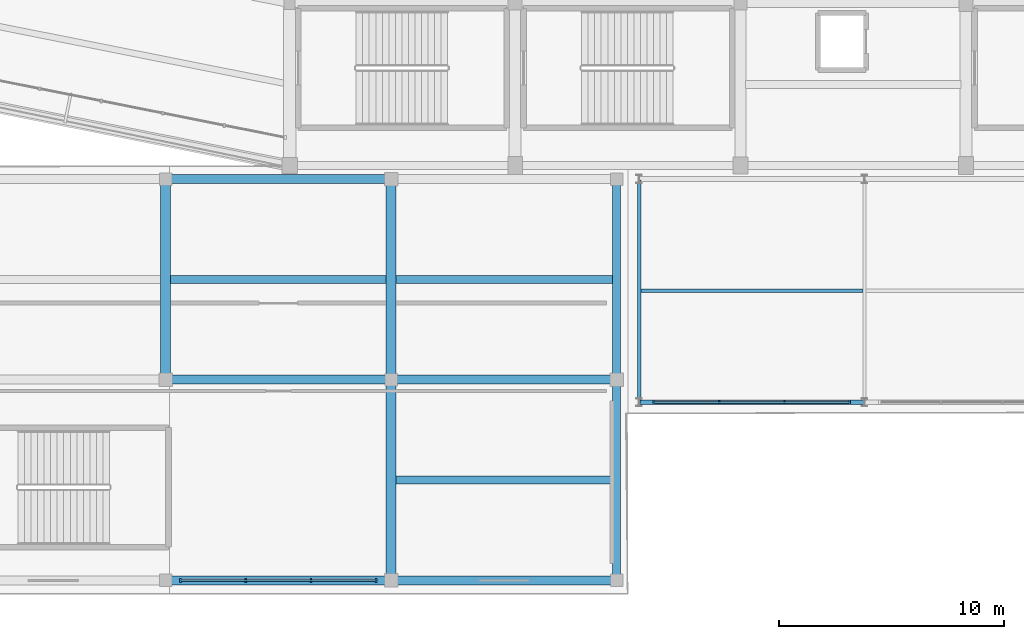
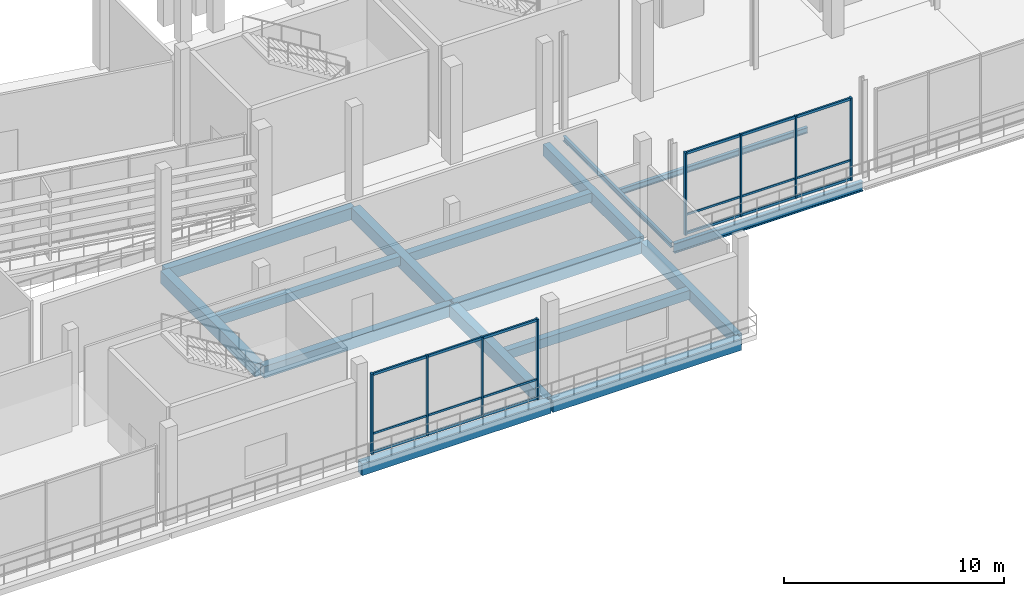
# One storey, part 18 of 111: 16 beams, 14 members, 2 elements without a shape of their own.
"""IFC4 building model written with IfcOpenShell, lengths in metres."""

from ifc_helpers import new_model, si_unit, direction, frame, origin, origin_2d, place, context, subcontext, project, spatial, rectangle, i_section, extrude, material, material_profile, profile_set, type_object, element, aggregate, save


model = new_model("IFC4")

# Units and contexts
model_context = context("Model", 3, precision=1e-05, world=origin(), true_north=direction((0.0, 1.0)))
body_context = subcontext(model_context, "Body", "Model", "MODEL_VIEW")
ifc_project = project(units=[si_unit("LENGTHUNIT", "METRE"), si_unit("AREAUNIT", "SQUARE_METRE"), si_unit("VOLUMEUNIT", "CUBIC_METRE"), si_unit("PLANEANGLEUNIT", "RADIAN"), si_unit("MASSUNIT", "GRAM", prefix="KILO")], contexts=[model_context])

# Site, building, storey
site_placement = place(None, origin())
site = spatial("IfcSite", under=ifc_project, at=site_placement, CompositionType="ELEMENT")
building_placement = place(site_placement, origin())
building = spatial("IfcBuilding", under=site, at=building_placement, Name="Candeia Ridge Stadium", CompositionType="ELEMENT")
storey_placement = place(building_placement, frame((0.0, 0.0, 16.199951171875)))
storey = spatial("IfcBuildingStorey", under=building, at=storey_placement, Name="L03", CompositionType="ELEMENT", Elevation=16.199951171875)

# Beam
ifc_material_1 = material(Name="Steel ASTM A572 Grade 50", Category="steel")
ifc_material_profile_1 = material_profile(ifc_material_1, i_section(OverallWidth=0.14794921875, OverallDepth=0.26611328125, WebThickness=0.007568359375, FlangeThickness=0.012939453125, FilletRadius=0.010986328125, at=origin_2d()), Name="W250x44.8", Category="steel")
ifc_profile_set_1 = profile_set([ifc_material_profile_1], Name="Steel ASTM A572 Grade 50")
beam_type_1 = type_object("IfcBeamType", Name="Canopy Edge Spandrel W250x44.8", PredefinedType="SPANDREL", material=ifc_profile_set_1)
beam_1_placement = place(storey_placement, frame((86.5, 8.550048828125, -0.383056640625), z_axis=(0.0, 1.0, 0.0), x_axis=(-1.0, 0.0, 0.0)))
element("IfcBeam", 1, at=beam_1_placement, inside=storey, type_object=beam_type_1, Name="Structural girder BM-L03-2358", PredefinedType="SPANDREL", context=body_context, shape_type="SweptSolid", body=[
    extrude(i_section(OverallWidth=0.14794921875, OverallDepth=0.26611328125, WebThickness=0.007568359375, FlangeThickness=0.012939453125, FilletRadius=0.010986328125, at=origin_2d()), origin(), (0.0, 0.0, 1.0), 9.800048828125),
])

# Curtain wall, members
ifc_material_2 = material(Name="Aluminium Anodized Warm Bronze", Category="aluminium")
curtain_wall_type_1 = type_object("IfcCurtainWallType", Name="Museum & Boulevard Showcase Curtain Wall", PredefinedType="NOTDEFINED", material=ifc_material_2)
curtain_wall_1_placement = place(storey_placement, origin())
curtain_wall_1 = element("IfcCurtainWall", 2, at=curtain_wall_1_placement, inside=storey, type_object=curtain_wall_type_1, Name="Unitised curtain wall CW-WNG-L03-133", PredefinedType="NOTDEFINED")
ifc_material_profile_2 = material_profile(ifc_material_2, rectangle(XDim=0.090087890625, YDim=0.179931640625, at=origin_2d()), Name="CWM-90x180", Category="aluminium")
ifc_profile_set_2 = profile_set([ifc_material_profile_2], Name="Aluminium Anodized Warm Bronze")
member_type_1 = type_object("IfcMemberType", Name="Curtain Wall Primary Mullion 90x180", PredefinedType="MULLION", material=ifc_profile_set_2)
member_1_placement = place(storey_placement, frame((66.159912109375, 0.60009765625, 0.0), z_axis=(0.0, 0.0, 1.0), x_axis=(1.0, 0.0, 0.0)))
member_1 = element("IfcMember", 3, at=member_1_placement, type_object=member_type_1, Name="Curtain wall mullion CW-WNG-L03-133-M0", PredefinedType="MULLION", context=body_context, shape_type="SweptSolid", body=[
    extrude(rectangle(XDim=0.090087890625, YDim=0.179931640625, at=origin_2d()), origin(), (0.0, 0.0, 1.0), 4.455078125),
])
member_2_placement = place(storey_placement, frame((74.840087890625, 0.60009765625, 0.0), z_axis=(0.0, 0.0, 1.0), x_axis=(1.0, 0.0, 0.0)))
member_2 = element("IfcMember", 4, at=member_2_placement, type_object=member_type_1, Name="Curtain wall mullion CW-WNG-L03-133-M3", PredefinedType="MULLION", context=body_context, shape_type="SweptSolid", body=[
    extrude(rectangle(XDim=0.090087890625, YDim=0.179931640625, at=origin_2d()), origin(), (0.0, 0.0, 1.0), 4.455078125),
])

curtain_wall_type_2 = type_object("IfcCurtainWallType", Name="Cardinal Entrance Gate Tall Glazed Curtain Wall", PredefinedType="NOTDEFINED", material=ifc_material_2)
curtain_wall_2_placement = place(storey_placement, origin())
curtain_wall_2 = element("IfcCurtainWall", 5, at=curtain_wall_2_placement, inside=storey, type_object=curtain_wall_type_2, Name="Unitised curtain wall CW-WNG-L03-137", PredefinedType="NOTDEFINED")
member_3_placement = place(storey_placement, frame((87.159912109375, 8.5, 0.0), z_axis=(0.0, 0.0, 1.0), x_axis=(1.0, 0.0, 0.0)))
member_3 = element("IfcMember", 6, at=member_3_placement, type_object=member_type_1, Name="Curtain wall mullion CW-WNG-L03-137-M0", PredefinedType="MULLION", context=body_context, shape_type="SweptSolid", body=[
    extrude(rectangle(XDim=0.090087890625, YDim=0.179931640625, at=origin_2d()), origin(), (0.0, 0.0, 1.0), 4.572021484375),
])
member_4_placement = place(storey_placement, frame((95.840087890625, 8.5, 0.0), z_axis=(0.0, 0.0, 1.0), x_axis=(1.0, 0.0, 0.0)))
member_4 = element("IfcMember", 7, at=member_4_placement, type_object=member_type_1, Name="Curtain wall mullion CW-WNG-L03-137-M3", PredefinedType="MULLION", context=body_context, shape_type="SweptSolid", body=[
    extrude(rectangle(XDim=0.090087890625, YDim=0.179931640625, at=origin_2d()), origin(), (0.0, 0.0, 1.0), 4.572021484375),
])

# Member
ifc_material_profile_3 = material_profile(ifc_material_2, rectangle(XDim=0.074951171875, YDim=0.14990234375, at=origin_2d()), Name="CWM-75x150", Category="aluminium")
ifc_profile_set_3 = profile_set([ifc_material_profile_3], Name="Aluminium Anodized Warm Bronze")
member_type_2 = type_object("IfcMemberType", Name="Curtain Wall Secondary Mullion 75x150", PredefinedType="MULLION", material=ifc_profile_set_3)
member_5_placement = place(storey_placement, frame((69.05322265625, 0.60009765625, 0.0), z_axis=(0.0, 0.0, 1.0), x_axis=(1.0, 0.0, 0.0)))
member_5 = element("IfcMember", 8, at=member_5_placement, type_object=member_type_2, Name="Curtain wall mullion CW-WNG-L03-133-M1", PredefinedType="MULLION", context=body_context, shape_type="SweptSolid", body=[
    extrude(rectangle(XDim=0.074951171875, YDim=0.14990234375, at=origin_2d()), origin(), (0.0, 0.0, 1.0), 4.455078125),
])

member_6_placement = place(storey_placement, frame((71.94677734375, 0.60009765625, 0.0), z_axis=(0.0, 0.0, 1.0), x_axis=(1.0, 0.0, 0.0)))
member_6 = element("IfcMember", 9, at=member_6_placement, type_object=member_type_2, Name="Curtain wall mullion CW-WNG-L03-133-M2", PredefinedType="MULLION", context=body_context, shape_type="SweptSolid", body=[
    extrude(rectangle(XDim=0.074951171875, YDim=0.14990234375, at=origin_2d()), origin(), (0.0, 0.0, 1.0), 4.455078125),
])

member_7_placement = place(storey_placement, frame((90.05322265625, 8.5, 0.0), z_axis=(0.0, 0.0, 1.0), x_axis=(1.0, 0.0, 0.0)))
member_7 = element("IfcMember", 10, at=member_7_placement, type_object=member_type_2, Name="Curtain wall mullion CW-WNG-L03-137-M1", PredefinedType="MULLION", context=body_context, shape_type="SweptSolid", body=[
    extrude(rectangle(XDim=0.074951171875, YDim=0.14990234375, at=origin_2d()), origin(), (0.0, 0.0, 1.0), 4.572021484375),
])

member_8_placement = place(storey_placement, frame((92.94677734375, 8.5, 0.0), z_axis=(0.0, 0.0, 1.0), x_axis=(1.0, 0.0, 0.0)))
member_8 = element("IfcMember", 11, at=member_8_placement, type_object=member_type_2, Name="Curtain wall mullion CW-WNG-L03-137-M2", PredefinedType="MULLION", context=body_context, shape_type="SweptSolid", body=[
    extrude(rectangle(XDim=0.074951171875, YDim=0.14990234375, at=origin_2d()), origin(), (0.0, 0.0, 1.0), 4.572021484375),
])

ifc_material_profile_4 = material_profile(ifc_material_2, rectangle(XDim=0.074951171875, YDim=0.110107421875, at=origin_2d()), Name="CWT-75x110", Category="aluminium")
ifc_profile_set_4 = profile_set([ifc_material_profile_4], Name="Aluminium Anodized Warm Bronze")
member_type_3 = type_object("IfcMemberType", Name="Curtain Wall Secondary Transom 75x110", PredefinedType="USERDEFINED", material=ifc_profile_set_4)
member_9_placement = place(storey_placement, frame((66.159912109375, 0.60009765625, 1.10009765625), z_axis=(1.0, 0.0, 0.0), x_axis=(0.0, 1.0, 0.0)))
member_9 = element("IfcMember", 12, at=member_9_placement, type_object=member_type_3, Name="Curtain wall transom CW-WNG-L03-133-T1", ObjectType="TRANSOM", PredefinedType="USERDEFINED", context=body_context, shape_type="SweptSolid", body=[
    extrude(rectangle(XDim=0.074951171875, YDim=0.110107421875, at=origin_2d()), origin(), (0.0, 0.0, 1.0), 8.68017578125),
])

member_10_placement = place(storey_placement, frame((87.159912109375, 8.5, 1.10009765625), z_axis=(1.0, 0.0, 0.0), x_axis=(0.0, 1.0, 0.0)))
member_10 = element("IfcMember", 13, at=member_10_placement, type_object=member_type_3, Name="Curtain wall transom CW-WNG-L03-137-T1", ObjectType="TRANSOM", PredefinedType="USERDEFINED", context=body_context, shape_type="SweptSolid", body=[
    extrude(rectangle(XDim=0.074951171875, YDim=0.110107421875, at=origin_2d()), origin(), (0.0, 0.0, 1.0), 8.68017578125),
])

ifc_material_profile_5 = material_profile(ifc_material_2, rectangle(XDim=0.090087890625, YDim=0.139892578125, at=origin_2d()), Name="CWT-90x140", Category="aluminium")
ifc_profile_set_5 = profile_set([ifc_material_profile_5], Name="Aluminium Anodized Warm Bronze")
member_type_4 = type_object("IfcMemberType", Name="Curtain Wall Transom 90x140", PredefinedType="USERDEFINED", material=ifc_profile_set_5)
member_11_placement = place(storey_placement, frame((66.159912109375, 0.60009765625, 0.070068359375), z_axis=(1.0, 0.0, 0.0), x_axis=(0.0, 1.0, 0.0)))
member_11 = element("IfcMember", 14, at=member_11_placement, type_object=member_type_4, Name="Curtain wall transom CW-WNG-L03-133-T0", ObjectType="TRANSOM", PredefinedType="USERDEFINED", context=body_context, shape_type="SweptSolid", body=[
    extrude(rectangle(XDim=0.090087890625, YDim=0.139892578125, at=origin_2d()), origin(), (0.0, 0.0, 1.0), 8.68017578125),
])

member_12_placement = place(storey_placement, frame((66.159912109375, 0.60009765625, 4.385009765625), z_axis=(1.0, 0.0, 0.0), x_axis=(0.0, 1.0, 0.0)))
member_12 = element("IfcMember", 15, at=member_12_placement, type_object=member_type_4, Name="Curtain wall transom CW-WNG-L03-133-T2", ObjectType="TRANSOM", PredefinedType="USERDEFINED", context=body_context, shape_type="SweptSolid", body=[
    extrude(rectangle(XDim=0.090087890625, YDim=0.139892578125, at=origin_2d()), origin(), (0.0, 0.0, 1.0), 8.68017578125),
])

aggregate(curtain_wall_1, [member_1, member_5, member_6, member_2, member_11, member_9, member_12])

member_13_placement = place(storey_placement, frame((87.159912109375, 8.5, 0.070068359375), z_axis=(1.0, 0.0, 0.0), x_axis=(0.0, 1.0, 0.0)))
member_13 = element("IfcMember", 16, at=member_13_placement, type_object=member_type_4, Name="Curtain wall transom CW-WNG-L03-137-T0", ObjectType="TRANSOM", PredefinedType="USERDEFINED", context=body_context, shape_type="SweptSolid", body=[
    extrude(rectangle(XDim=0.090087890625, YDim=0.139892578125, at=origin_2d()), origin(), (0.0, 0.0, 1.0), 8.68017578125),
])

member_14_placement = place(storey_placement, frame((87.159912109375, 8.5, 4.501953125), z_axis=(1.0, 0.0, 0.0), x_axis=(0.0, 1.0, 0.0)))
member_14 = element("IfcMember", 17, at=member_14_placement, type_object=member_type_4, Name="Curtain wall transom CW-WNG-L03-137-T2", ObjectType="TRANSOM", PredefinedType="USERDEFINED", context=body_context, shape_type="SweptSolid", body=[
    extrude(rectangle(XDim=0.090087890625, YDim=0.139892578125, at=origin_2d()), origin(), (0.0, 0.0, 1.0), 8.68017578125),
])

aggregate(curtain_wall_2, [member_3, member_7, member_8, member_4, member_13, member_10, member_14])

# Beams
ifc_material_3 = material(Name="Concrete C40/50", Category="concrete")
ifc_material_profile_6 = material_profile(ifc_material_3, rectangle(XDim=0.35009765625, YDim=0.5, at=origin_2d()), Name="RC350x500", Category="concrete")
ifc_profile_set_6 = profile_set([ifc_material_profile_6], Name="Concrete C40/50")
beam_type_2 = type_object("IfcBeamType", Name="Floor Joist RC350x500", PredefinedType="JOIST", material=ifc_profile_set_6)
beam_2_placement = place(storey_placement, frame((65.724609375, 13.949951171875, -0.5), z_axis=(1.0, 0.0, 0.0), x_axis=(0.0, 1.0, 0.0)))
element("IfcBeam", 18, at=beam_2_placement, inside=storey, type_object=beam_type_2, Name="Wing secondary joist BM-L03-2311", PredefinedType="JOIST", context=body_context, shape_type="SweptSolid", body=[
    extrude(rectangle(XDim=0.35009765625, YDim=0.5, at=origin_2d()), origin(), (0.0, 0.0, 1.0), 9.55078125),
])
for number, where, z_axis, x_axis, name in (
    (19, (75.724609375, 5.050048828125, -0.5), (1.0, 0.0, 0.0), (0.0, 1.0, 0.0), "Wing secondary joist BM-L03-2314"),
    (20, (75.724609375, 13.949951171875, -0.5), (1.0, 0.0, 0.0), (0.0, 1.0, 0.0), "Wing secondary joist BM-L03-2316"),
):
    element("IfcBeam", number, at=place(storey_placement, frame(where, z_axis=z_axis, x_axis=x_axis)), inside=storey, type_object=beam_type_2, Name=name, PredefinedType="JOIST", context=body_context, shape_type="SweptSolid", body=[
        extrude(rectangle(XDim=0.35009765625, YDim=0.5, at=origin_2d()), origin(), (0.0, 0.0, 1.0), 9.600830078125),
    ])
ifc_material_profile_7 = material_profile(ifc_material_3, rectangle(XDim=0.449951171875, YDim=0.699951171875, at=origin_2d()), Name="RC450x700", Category="concrete")
ifc_profile_set_7 = profile_set([ifc_material_profile_7], Name="Concrete C40/50")
beam_type_3 = type_object("IfcBeamType", Name="Frame Girder RC450x700", PredefinedType="BEAM", material=ifc_profile_set_7)
for number, where, z_axis, x_axis, name in (
    (21, (65.5, 9.659912109375, -0.599853515625), (0.0, 1.0, 0.0), (-1.0, 0.0, 0.0), "Structural girder BM-L03-2286"),
    (22, (75.5, 0.760009765625, -0.599853515625), (0.0, 1.0, 0.0), (-1.0, 0.0, 0.0), "Structural girder BM-L03-2287"),
    (23, (75.5, 9.659912109375, -0.599853515625), (0.0, 1.0, 0.0), (-1.0, 0.0, 0.0), "Structural girder BM-L03-2288"),
):
    element("IfcBeam", number, at=place(storey_placement, frame(where, z_axis=z_axis, x_axis=x_axis)), inside=storey, type_object=beam_type_3, Name=name, PredefinedType="BEAM", context=body_context, shape_type="SweptSolid", body=[
        extrude(rectangle(XDim=0.449951171875, YDim=0.699951171875, at=origin_2d()), origin(), (0.0, 0.0, 1.0), 8.580078125),
    ])
ifc_material_profile_8 = material_profile(ifc_material_1, i_section(OverallWidth=0.208984375, OverallDepth=0.532958984375, WebThickness=0.01025390625, FlangeThickness=0.015625, FilletRadius=0.013916015625, at=origin_2d()), Name="W530x92", Category="steel")
ifc_profile_set_8 = profile_set([ifc_material_profile_8], Name="Steel ASTM A572 Grade 50")
beam_type_4 = type_object("IfcBeamType", Name="Gate Portal Girder W530x92", PredefinedType="BEAM", material=ifc_profile_set_8)
beam_3_placement = place(storey_placement, frame((86.550048828125, 8.5, -0.516357421875), z_axis=(1.0, 0.0, 0.0), x_axis=(0.0, 1.0, 0.0)))
element("IfcBeam", 24, at=beam_3_placement, inside=storey, type_object=beam_type_4, Name="Structural girder BM-L03-2363", PredefinedType="BEAM", context=body_context, shape_type="SweptSolid", body=[
    extrude(i_section(OverallWidth=0.208984375, OverallDepth=0.532958984375, WebThickness=0.01025390625, FlangeThickness=0.015625, FilletRadius=0.013916015625, at=origin_2d()), origin(), (0.0, 0.0, 1.0), 9.89990234375),
])
ifc_material_profile_9 = material_profile(ifc_material_1, i_section(OverallWidth=0.1669921875, OverallDepth=0.31689453125, WebThickness=0.007568359375, FlangeThickness=0.01318359375, FilletRadius=0.011962890625, at=origin_2d()), Name="W310x52", Category="steel")
ifc_profile_set_9 = profile_set([ifc_material_profile_9], Name="Steel ASTM A572 Grade 50")
beam_type_5 = type_object("IfcBeamType", Name="Pavilion Secondary Joist W310x52", PredefinedType="JOIST", material=ifc_profile_set_9)
beam_4_placement = place(storey_placement, frame((86.573486328125, 13.449951171875, -0.408447265625), z_axis=(1.0, 0.0, 0.0), x_axis=(0.0, 1.0, 0.0)))
element("IfcBeam", 25, at=beam_4_placement, inside=storey, type_object=beam_type_5, Name="Wing secondary joist BM-L03-2364", PredefinedType="JOIST", context=body_context, shape_type="SweptSolid", body=[
    extrude(i_section(OverallWidth=0.1669921875, OverallDepth=0.31689453125, WebThickness=0.007568359375, FlangeThickness=0.01318359375, FilletRadius=0.011962890625, at=origin_2d()), origin(), (0.0, 0.0, 1.0), 9.85302734375),
])
ifc_material_profile_10 = material_profile(ifc_material_3, rectangle(XDim=0.35009765625, YDim=0.64990234375, at=origin_2d()), Name="RC350x650", Category="concrete")
ifc_profile_set_10 = profile_set([ifc_material_profile_10], Name="Concrete C40/50")
beam_type_6 = type_object("IfcBeamType", Name="Spandrel Beam RC350x650", PredefinedType="SPANDREL", material=ifc_profile_set_10)
for number, where, z_axis, x_axis, name in (
    (26, (85.5, 0.760009765625, -0.574951171875), (0.0, 1.0, 0.0), (-1.0, 0.0, 0.0), "Structural girder BM-L03-2289"),
    (27, (85.5, 9.659912109375, -0.574951171875), (0.0, 1.0, 0.0), (-1.0, 0.0, 0.0), "Structural girder BM-L03-2290"),
):
    element("IfcBeam", number, at=place(storey_placement, frame(where, z_axis=z_axis, x_axis=x_axis)), inside=storey, type_object=beam_type_6, Name=name, PredefinedType="SPANDREL", context=body_context, shape_type="SweptSolid", body=[
        extrude(rectangle(XDim=0.35009765625, YDim=0.64990234375, at=origin_2d()), origin(), (0.0, 0.0, 1.0), 8.580078125),
    ])
ifc_material_profile_11 = material_profile(ifc_material_3, rectangle(XDim=0.39990234375, YDim=0.64990234375, at=origin_2d()), Name="RC400x650", Category="concrete")
ifc_profile_set_11 = profile_set([ifc_material_profile_11], Name="Concrete C40/50")
beam_type_7 = type_object("IfcBeamType", Name="Wing Primary Girder RC400x650", PredefinedType="BEAM", material=ifc_profile_set_11)
for number, where, z_axis, x_axis, name in (
    (28, (65.550048828125, 0.60009765625, -0.574951171875), (1.0, 0.0, 0.0), (0.0, 1.0, 0.0), "Structural girder BM-L03-2309"),
    (29, (65.550048828125, 9.5, -0.574951171875), (1.0, 0.0, 0.0), (0.0, 1.0, 0.0), "Structural girder BM-L03-2310"),
    (30, (65.550048828125, 18.39990234375, -0.574951171875), (1.0, 0.0, 0.0), (0.0, 1.0, 0.0), "Structural girder BM-L03-2312"),
    (31, (75.550048828125, 0.60009765625, -0.574951171875), (1.0, 0.0, 0.0), (0.0, 1.0, 0.0), "Structural girder BM-L03-2313"),
    (32, (75.550048828125, 9.5, -0.574951171875), (1.0, 0.0, 0.0), (0.0, 1.0, 0.0), "Structural girder BM-L03-2315"),
):
    element("IfcBeam", number, at=place(storey_placement, frame(where, z_axis=z_axis, x_axis=x_axis)), inside=storey, type_object=beam_type_7, Name=name, PredefinedType="BEAM", context=body_context, shape_type="SweptSolid", body=[
        extrude(rectangle(XDim=0.39990234375, YDim=0.64990234375, at=origin_2d()), origin(), (0.0, 0.0, 1.0), 9.89990234375),
    ])

save(model, "model.ifc")
